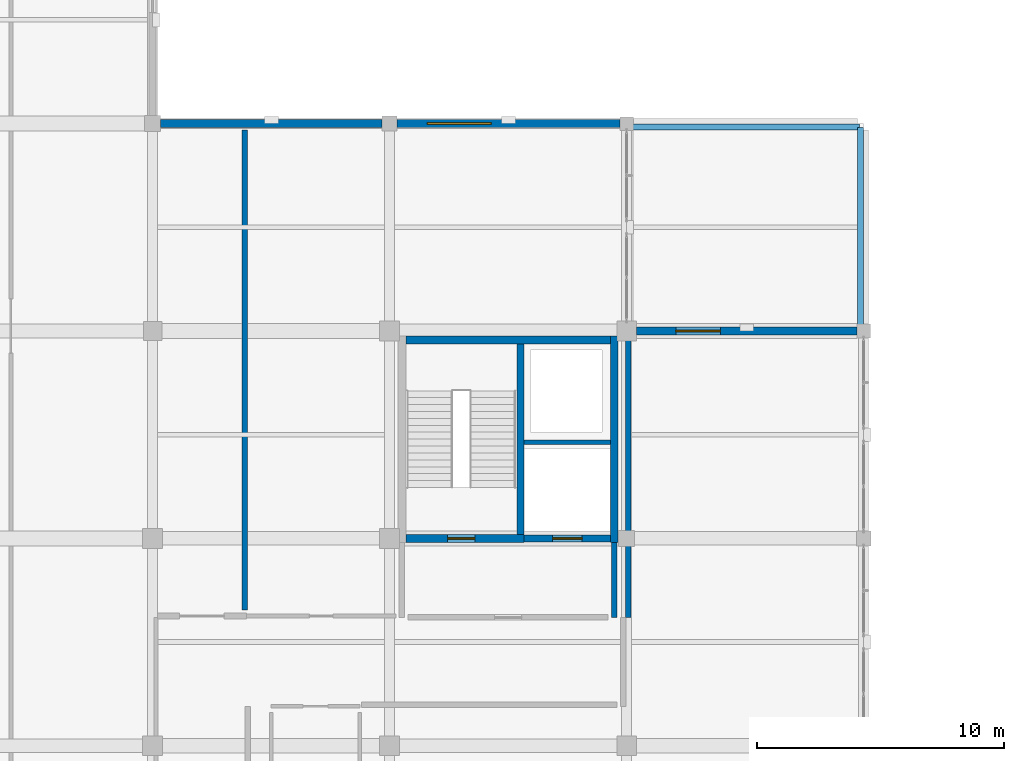
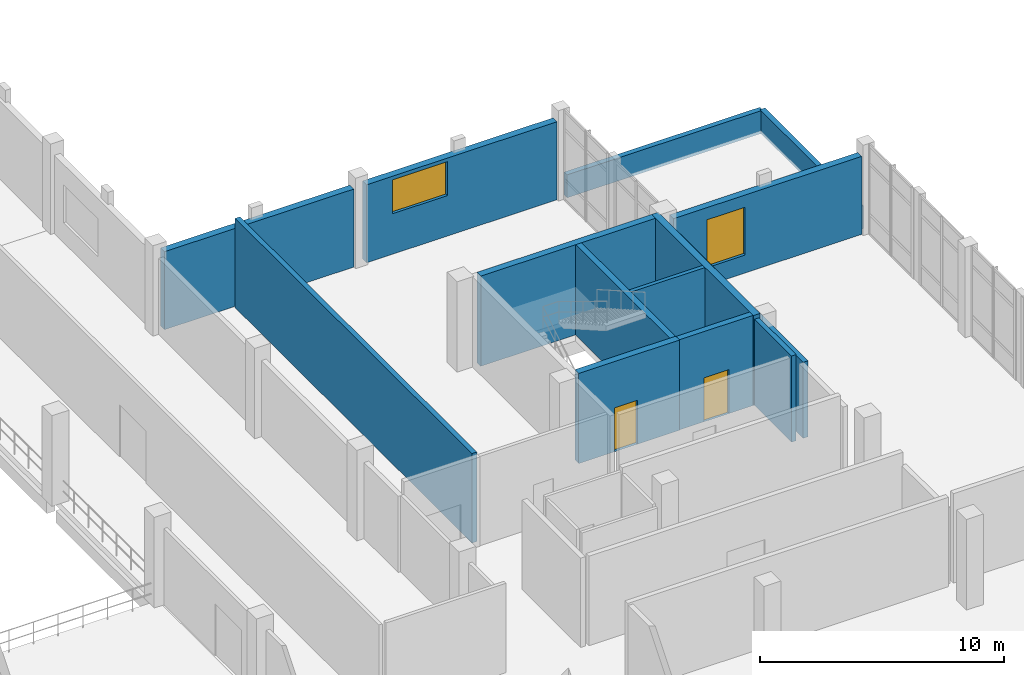
# One storey, part 94 of 102: 14 walls, 2 doors, 2 windows, 4 openings.
"""IFC4 building model written with IfcOpenShell, lengths in metres."""

from ifc_helpers import new_model, si_unit, direction, frame, frame_2d, origin, place, context, subcontext, project, spatial, rectangle, extrude, material, layer, layer_set, type_object, element, fill, save


model = new_model("IFC4")

# Units and contexts
model_context = context("Model", 3, precision=1e-05, world=origin(), true_north=direction((0.0, 1.0)))
body_context = subcontext(model_context, "Body", "Model", "MODEL_VIEW")
ifc_project = project(units=[si_unit("LENGTHUNIT", "METRE"), si_unit("AREAUNIT", "SQUARE_METRE"), si_unit("VOLUMEUNIT", "CUBIC_METRE"), si_unit("PLANEANGLEUNIT", "RADIAN"), si_unit("MASSUNIT", "GRAM", prefix="KILO")], contexts=[model_context])

# Site, building, storey
site_placement = place(None, origin())
site = spatial("IfcSite", under=ifc_project, at=site_placement, CompositionType="ELEMENT")
building_placement = place(site_placement, origin())
building = spatial("IfcBuilding", under=site, at=building_placement, Name="Lornevale Opera House", CompositionType="ELEMENT")
storey_placement = place(building_placement, frame((0.0, 0.0, 5.39990234375)))
storey = spatial("IfcBuildingStorey", under=building, at=storey_placement, Name="L02", CompositionType="ELEMENT", Elevation=5.39990234375)

# Wall
ifc_material_1 = material(Name="Queenston Buff Limestone Ashlar Masonry (25 MPa)", Category="masonry")
ifc_layer_1 = layer(ifc_material_1, 0.324951171875)
ifc_layer_set_1 = layer_set([ifc_layer_1], Name="Queenston Buff Limestone Ashlar Masonry (25 MPa)")
wall_type_1 = type_object("IfcWallType", Name="Backstage Limestone Facade Wall 325", PredefinedType="SOLIDWALL", material=ifc_layer_set_1)
wall_1_placement = place(storey_placement, frame((125.125, 84.0, 0.0), z_axis=(0.0, 0.0, 1.0), x_axis=(1.0, 0.0, 0.0)))
element("IfcWall", 1, at=wall_1_placement, inside=storey, type_object=wall_type_1, Name="Backstage Limestone Facade Wall 325 WL-EXT-0211", PredefinedType="SOLIDWALL", context=body_context, shape_type="SweptSolid", body=[
    extrude(rectangle(XDim=8.97509765625, YDim=0.324951171875, at=frame_2d((4.487548828125, 0.0))), origin(), (0.0, 0.0, 1.0), 3.91015625),
])

# Wall, opening, window
wall_2_placement = place(storey_placement, frame((134.699951171875, 84.0, 0.0), z_axis=(0.0, 0.0, 1.0), x_axis=(1.0, 0.0, 0.0)))
wall_2 = element("IfcWall", 2, at=wall_2_placement, inside=storey, type_object=wall_type_1, Name="Backstage Limestone Facade Wall 325 WL-EXT-0214", PredefinedType="SOLIDWALL", context=body_context, shape_type="SweptSolid", body=[
    extrude(rectangle(XDim=9.025146484375, YDim=0.324951171875, at=frame_2d((4.5126953125, 0.0))), origin(), (0.0, 0.0, 1.0), 3.91015625),
])
opening_1_placement = place(wall_2_placement, frame((1.22705078125, 0.0, 2.030029296875)))
opening_1 = element("IfcOpeningElement", 3, at=opening_1_placement, cuts=wall_2, Name="Opening WN-T19", PredefinedType="OPENING", context=body_context, shape_type="SweptSolid", body=[
    extrude(rectangle(XDim=2.60009765625, YDim=1.699951171875, at=frame_2d((1.300048828125, 0.85009765625))), frame((0.0, 0.17236328125, 0.0), z_axis=(0.0, -1.0, 0.0), x_axis=(1.0, 0.0, 0.0)), (0.0, 0.0, 1.0), 0.344970703125),
])
ifc_material_2 = material(Name="Triple Low-E Insulated Glazing", Category="glass")
ifc_layer_2 = layer(ifc_material_2, 0.06005859375)
ifc_layer_set_2 = layer_set([ifc_layer_2], Name="Triple Low-E Insulated Glazing")
window_type_1 = type_object("IfcWindowType", Name="Portico Tympanum Window 2600x1700", PartitioningType="NOTDEFINED", PredefinedType="WINDOW", material=ifc_layer_set_2)
window_1_placement = place(opening_1_placement, origin())
window_1 = element("IfcWindow", 4, at=window_1_placement, inside=storey, type_object=window_type_1, Name="Portico Tympanum Window 2600x1700 WN-0059", OverallHeight=1.699951171875, OverallWidth=2.60009765625, PartitioningType="SINGLE_PANEL", PredefinedType="WINDOW", context=body_context, shape_type="SweptSolid", body=[
    extrude(rectangle(XDim=2.60009765625, YDim=1.699951171875, at=frame_2d((1.300048828125, 0.85009765625))), frame((0.0, 0.030029296875, 0.0), z_axis=(0.0, -1.0, 0.0), x_axis=(1.0, 0.0, 0.0)), (0.0, 0.0, 1.0), 0.06005859375),
])
fill(opening_1, window_1)

wall_3_placement = place(storey_placement, frame((144.39990234375, 75.60009765625, 0.0), z_axis=(0.0, 0.0, 1.0), x_axis=(1.0, 0.0, 0.0)))
wall_3 = element("IfcWall", 5, at=wall_3_placement, inside=storey, type_object=wall_type_1, Name="Backstage Limestone Facade Wall 325 WL-EXT-0217", PredefinedType="SOLIDWALL", context=body_context, shape_type="SweptSolid", body=[
    extrude(rectangle(XDim=8.925048828125, YDim=0.324951171875, at=frame_2d((4.46240234375, 0.0))), origin(), (0.0, 0.0, 1.0), 3.91015625),
])
opening_2_placement = place(wall_3_placement, frame((1.59912109375, 0.0, 0.89990234375)))
opening_2 = element("IfcOpeningElement", 6, at=opening_2_placement, cuts=wall_3, Name="Opening WN-T01", PredefinedType="OPENING", context=body_context, shape_type="SweptSolid", body=[
    extrude(rectangle(XDim=1.800048828125, YDim=2.39990234375, at=frame_2d((0.89990234375, 1.199951171875))), frame((0.0, 0.17236328125, 0.0), z_axis=(0.0, -1.0, 0.0), x_axis=(1.0, 0.0, 0.0)), (0.0, 0.0, 1.0), 0.344970703125),
])
ifc_layer_3 = layer(ifc_material_2, 0.06005859375)
ifc_layer_set_3 = layer_set([ifc_layer_3], Name="Triple Low-E Insulated Glazing")
window_type_2 = type_object("IfcWindowType", Name="Punched Deep-Reveal Window 1800x2400", PartitioningType="NOTDEFINED", PredefinedType="WINDOW", material=ifc_layer_set_3)
window_2_placement = place(opening_2_placement, origin())
window_2 = element("IfcWindow", 7, at=window_2_placement, inside=storey, type_object=window_type_2, Name="Punched Deep-Reveal Window 1800x2400 WN-0060", OverallHeight=2.39990234375, OverallWidth=1.800048828125, PartitioningType="SINGLE_PANEL", PredefinedType="WINDOW", context=body_context, shape_type="SweptSolid", body=[
    extrude(rectangle(XDim=1.800048828125, YDim=2.39990234375, at=frame_2d((0.89990234375, 1.199951171875))), frame((0.0, 0.030029296875, 0.0), z_axis=(0.0, -1.0, 0.0), x_axis=(1.0, 0.0, 0.0)), (0.0, 0.0, 1.0), 0.06005859375),
])
fill(opening_2, window_2)

# Wall, opening, door
ifc_material_3 = material(Name="Concrete 40 MPa (CSA A23.1 C-1)", Category="concrete")
ifc_layer_4 = layer(ifc_material_3, 0.320068359375)
ifc_layer_set_4 = layer_set([ifc_layer_4], Name="Concrete 40 MPa (CSA A23.1 C-1)")
wall_type_2 = type_object("IfcWallType", Name="Core Shear Wall 320", PredefinedType="SHEAR", material=ifc_layer_set_4)
wall_4_placement = place(storey_placement, frame((135.06005859375, 67.199951171875, 0.0), z_axis=(0.0, 0.0, 1.0), x_axis=(1.0, 0.0, 0.0)))
wall_4 = element("IfcWall", 8, at=wall_4_placement, inside=storey, type_object=wall_type_2, Name="Backstage Firefighter Core East Core Shear Wall 320 WL-COR-0282", PredefinedType="SHEAR", context=body_context, shape_type="SweptSolid", body=[
    extrude(rectangle(XDim=4.780029296875, YDim=0.320068359375, at=frame_2d((2.39013671875, 0.0))), origin(), (0.0, 0.0, 1.0), 4.52001953125),
])
opening_3_placement = place(wall_4_placement, frame((1.68994140625, 0.0, 0.0)))
opening_3 = element("IfcOpeningElement", 9, at=opening_3_placement, cuts=wall_4, Name="Opening DR-T10", PredefinedType="OPENING", context=body_context, shape_type="SweptSolid", body=[
    extrude(rectangle(XDim=1.10009765625, YDim=2.199951171875, at=frame_2d((0.550048828125, 1.10009765625))), frame((0.0, 0.169921875, 0.0), z_axis=(0.0, -1.0, 0.0), x_axis=(1.0, 0.0, 0.0)), (0.0, 0.0, 1.0), 0.340087890625),
])
ifc_material_4 = material(Name="Painted Hollow Metal Door Steel", Category="steel")
ifc_layer_5 = layer(ifc_material_4, 2.199951171875)
ifc_layer_set_5 = layer_set([ifc_layer_5], Name="Painted Hollow Metal Door Steel")
door_type_1 = type_object("IfcDoorType", Name="Protected Exit Stair Door L 1100x2200", OperationType="NOTDEFINED", PredefinedType="DOOR", material=ifc_layer_set_5)
door_1_placement = place(opening_3_placement, origin())
door_1 = element("IfcDoor", 10, at=door_1_placement, inside=storey, type_object=door_type_1, Name="C7 Stair Door L02", OperationType="SINGLE_SWING_LEFT", OverallHeight=2.199951171875, OverallWidth=1.10009765625, PredefinedType="DOOR", context=body_context, shape_type="SweptSolid", body=[
    extrude(rectangle(XDim=1.10009765625, YDim=2.199951171875, at=frame_2d((0.550048828125, 1.10009765625))), frame((0.0, 0.02490234375, 0.0), z_axis=(0.0, -1.0, 0.0), x_axis=(1.0, 0.0, 0.0)), (0.0, 0.0, 1.0), 0.050048828125),
])
fill(opening_3, door_1)

# Walls
wall_5_placement = place(storey_placement, frame((143.340087890625, 75.239990234375, 0.0), z_axis=(0.0, 0.0, 1.0), x_axis=(-1.0, 0.0, 0.0)))
element("IfcWall", 11, at=wall_5_placement, inside=storey, type_object=wall_type_2, Name="Backstage Firefighter Core East Core Shear Wall 320 WL-COR-0284", PredefinedType="SHEAR", context=body_context, shape_type="SweptSolid", body=[
    extrude(rectangle(XDim=8.280029296875, YDim=0.320068359375, at=frame_2d((4.14013671875, 0.0))), origin(), (0.0, 0.0, 1.0), 4.52001953125),
])
wall_6_placement = place(storey_placement, frame((143.5, 67.0400390625, 0.0), z_axis=(0.0, 0.0, 1.0), x_axis=(0.0, 1.0, 0.0)))
element("IfcWall", 12, at=wall_6_placement, inside=storey, type_object=wall_type_2, Name="Backstage Firefighter Core East Core Shear Wall 320 WL-COR-0286", PredefinedType="SHEAR", context=body_context, shape_type="SweptSolid", body=[
    extrude(rectangle(XDim=8.35986328125, YDim=0.320068359375, at=frame_2d((4.179931640625, 0.0))), origin(), (0.0, 0.0, 1.0), 4.52001953125),
])

# Wall, opening, door
ifc_layer_6 = layer(ifc_material_3, 0.280029296875)
ifc_layer_set_6 = layer_set([ifc_layer_6], Name="Concrete 40 MPa (CSA A23.1 C-1)")
wall_type_3 = type_object("IfcWallType", Name="Elevator Shaft Wall 280", PredefinedType="SHEAR", material=ifc_layer_set_6)
wall_7_placement = place(storey_placement, frame((139.840087890625, 67.199951171875, 0.0), z_axis=(0.0, 0.0, 1.0), x_axis=(1.0, 0.0, 0.0)))
wall_7 = element("IfcWall", 13, at=wall_7_placement, inside=storey, type_object=wall_type_3, Name="Backstage Firefighter Core East Elevator Shaft Wall 280 WL-COR-0283", PredefinedType="SHEAR", context=body_context, shape_type="SweptSolid", body=[
    extrude(rectangle(XDim=3.5, YDim=0.280029296875, at=frame_2d((1.75, 0.0))), origin(), (0.0, 0.0, 1.0), 4.52001953125),
])
opening_4_placement = place(wall_7_placement, frame((1.159912109375, 0.0, 0.0)))
opening_4 = element("IfcOpeningElement", 14, at=opening_4_placement, cuts=wall_7, Name="Opening DR-T26", PredefinedType="OPENING", context=body_context, shape_type="SweptSolid", body=[
    extrude(rectangle(XDim=1.199951171875, YDim=2.199951171875, at=frame_2d((0.60009765625, 1.10009765625))), frame((0.0, 0.14990234375, 0.0), z_axis=(0.0, -1.0, 0.0), x_axis=(1.0, 0.0, 0.0)), (0.0, 0.0, 1.0), 0.300048828125),
])
ifc_layer_7 = layer(ifc_material_4, 2.199951171875)
ifc_layer_set_7 = layer_set([ifc_layer_7], Name="Painted Hollow Metal Door Steel")
door_type_2 = type_object("IfcDoorType", Name="Firefighter Lift Landing Door 1200x2200", OperationType="NOTDEFINED", PredefinedType="DOOR", material=ifc_layer_set_7)
door_2_placement = place(opening_4_placement, origin())
door_2 = element("IfcDoor", 15, at=door_2_placement, inside=storey, type_object=door_type_2, Name="L-FF2 Landing Door L02", OperationType="SLIDING_TO_RIGHT", OverallHeight=2.199951171875, OverallWidth=1.199951171875, PredefinedType="DOOR", context=body_context, shape_type="SweptSolid", body=[
    extrude(rectangle(XDim=1.199951171875, YDim=2.199951171875, at=frame_2d((0.60009765625, 1.10009765625))), frame((0.0, 0.02490234375, 0.0), z_axis=(0.0, -1.0, 0.0), x_axis=(1.0, 0.0, 0.0)), (0.0, 0.0, 1.0), 0.050048828125),
])
fill(opening_4, door_2)

# Walls
wall_8_placement = place(storey_placement, frame((139.699951171875, 67.360107421875, 0.0), z_axis=(0.0, 0.0, 1.0), x_axis=(0.0, 1.0, 0.0)))
element("IfcWall", 16, at=wall_8_placement, inside=storey, type_object=wall_type_3, Name="Backstage Firefighter Core East Elevator Shaft Wall 280 WL-COR-0287", PredefinedType="SHEAR", context=body_context, shape_type="SweptSolid", body=[
    extrude(rectangle(XDim=7.719970703125, YDim=0.280029296875, at=frame_2d((3.85986328125, 0.0))), origin(), (0.0, 0.0, 1.0), 4.52001953125),
])
ifc_material_5 = material(Name="Concrete 35 MPa (CSA A23.1 N)", Category="concrete")
ifc_layer_8 = layer(ifc_material_5, 0.219970703125)
ifc_layer_set_8 = layer_set([ifc_layer_8], Name="Concrete 35 MPa (CSA A23.1 N)")
wall_type_4 = type_object("IfcWallType", Name="Firefighter Vestibule Wall 220", PredefinedType="SOLIDWALL", material=ifc_layer_set_8)
wall_9_placement = place(storey_placement, frame((143.5, 64.0, 0.0), z_axis=(0.0, 0.0, 1.0), x_axis=(0.0, 1.0, 0.0)))
element("IfcWall", 17, at=wall_9_placement, inside=storey, type_object=wall_type_4, Name="C7 Vestibule East Wall WL-INT-0398", PredefinedType="SOLIDWALL", context=body_context, shape_type="SweptSolid", body=[
    extrude(rectangle(XDim=3.0400390625, YDim=0.219970703125, at=frame_2d((1.52001953125, 0.0))), origin(), (0.0, 0.0, 1.0), 4.320068359375),
])
ifc_material_6 = material(Name="Acoustic Mineral-Core Gypsum Partition", Category="gypsum")
ifc_layer_9 = layer(ifc_material_6, 0.22998046875)
ifc_layer_set_9 = layer_set([ifc_layer_9], Name="Acoustic Mineral-Core Gypsum Partition")
wall_type_5 = type_object("IfcWallType", Name="Rehearsal Studio Acoustic Wall 230", PredefinedType="SOLIDWALL", material=ifc_layer_set_9)
wall_10_placement = place(storey_placement, frame((144.06005859375, 64.0, 0.0), z_axis=(0.0, 0.0, 1.0), x_axis=(0.0, 1.0, 0.0)))
element("IfcWall", 18, at=wall_10_placement, inside=storey, type_object=wall_type_5, Name="L02 Partition WL-INT-0813", PredefinedType="SOLIDWALL", context=body_context, shape_type="SweptSolid", body=[
    extrude(rectangle(XDim=11.3798828125, YDim=0.22998046875, at=frame_2d((5.68994140625, 0.0))), origin(), (0.0, 0.0, 1.0), 3.81005859375),
])
wall_11_placement = place(storey_placement, frame((128.5400390625, 64.31005859375, 0.0), z_axis=(0.0, 0.0, 1.0), x_axis=(0.0, 1.0, 0.0)))
element("IfcWall", 19, at=wall_11_placement, inside=storey, type_object=wall_type_5, Name="L02 Partition WL-INT-0814", PredefinedType="SOLIDWALL", context=body_context, shape_type="SweptSolid", body=[
    extrude(rectangle(XDim=19.43994140625, YDim=0.22998046875, at=frame_2d((9.719970703125, 0.0))), origin(), (0.0, 0.0, 1.0), 4.47998046875),
])
ifc_material_7 = material(Name="Moisture-Resistant Ceramic & Gypsum Partition", Category="gypsum")
ifc_layer_10 = layer(ifc_material_7, 0.179931640625)
ifc_layer_set_10 = layer_set([ifc_layer_10], Name="Moisture-Resistant Ceramic & Gypsum Partition")
wall_type_6 = type_object("IfcWallType", Name="Riser Shaft Wall 180", PredefinedType="SOLIDWALL", material=ifc_layer_set_10)
wall_12_placement = place(storey_placement, frame((139.840087890625, 71.10009765625, 0.0), z_axis=(0.0, 0.0, 1.0), x_axis=(1.0, 0.0, 0.0)))
element("IfcWall", 20, at=wall_12_placement, inside=storey, type_object=wall_type_6, Name="Backstage Firefighter Core East Riser Shaft Wall 180 WL-COR-0288", PredefinedType="SOLIDWALL", context=body_context, shape_type="SweptSolid", body=[
    extrude(rectangle(XDim=3.5, YDim=0.179931640625, at=frame_2d((1.75, 0.0))), origin(), (0.0, 0.0, 1.0), 4.52001953125),
])
ifc_layer_11 = layer(ifc_material_1, 0.239990234375)
ifc_layer_set_11 = layer_set([ifc_layer_11], Name="Queenston Buff Limestone Ashlar Masonry (25 MPa)")
wall_type_7 = type_object("IfcWallType", Name="Stone Coped Parapet Wall 240", PredefinedType="PARAPET", material=ifc_layer_set_11)
wall_13_placement = place(storey_placement, frame((153.469970703125, 83.840087890625, 0.0), z_axis=(0.0, 0.0, 1.0), x_axis=(0.0, -1.0, 0.0)))
element("IfcWall", 21, at=wall_13_placement, inside=storey, type_object=wall_type_7, Name="Stone Coped Parapet Wall 240 0385", PredefinedType="PARAPET", context=body_context, shape_type="SweptSolid", body=[
    extrude(rectangle(XDim=8.080078125, YDim=0.239990234375, at=frame_2d((4.0400390625, 0.0))), origin(), (0.0, 0.0, 1.0), 1.150146484375),
])
wall_14_placement = place(storey_placement, frame((144.159912109375, 83.8701171875, 0.0), z_axis=(0.0, 0.0, 1.0), x_axis=(1.0, 0.0, 0.0)))
element("IfcWall", 22, at=wall_14_placement, inside=storey, type_object=wall_type_7, Name="Stone Coped Parapet Wall 240 0386", PredefinedType="PARAPET", context=body_context, shape_type="SweptSolid", body=[
    extrude(rectangle(XDim=9.280029296875, YDim=0.239990234375, at=frame_2d((4.64013671875, 0.0))), origin(), (0.0, 0.0, 1.0), 1.150146484375),
])

save(model, "model.ifc")
